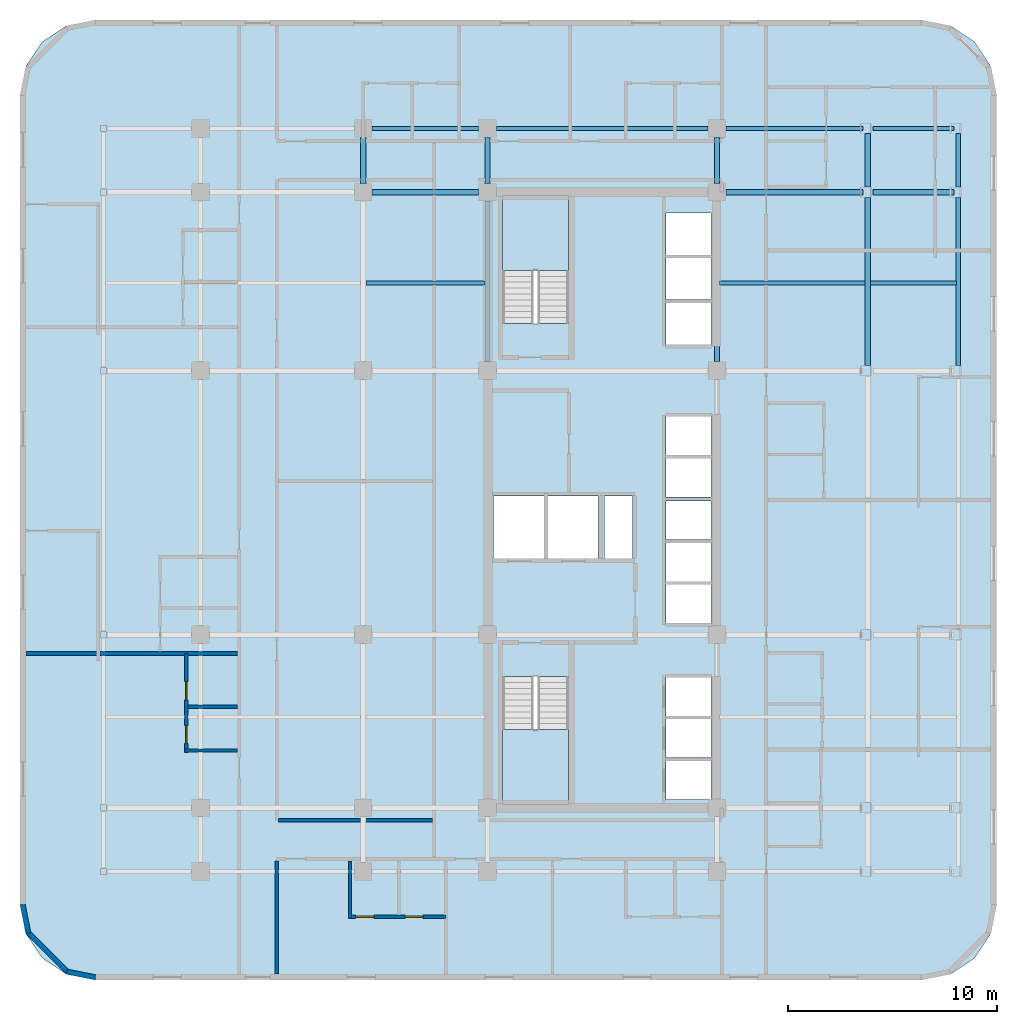
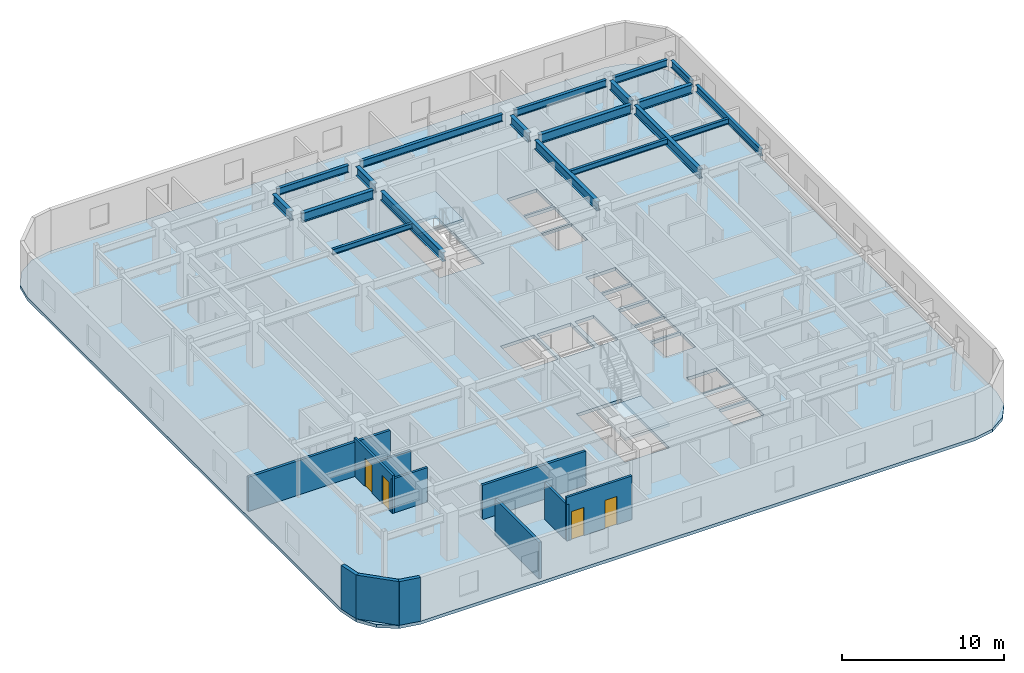
# One storey, part 5 of 11: 19 beams, 11 walls, 4 doors, 3 slabs, 4 openings, 2 elements without a shape of their own.
"""IFC4 building model written with IfcOpenShell, lengths in metres."""

from ifc_helpers import new_model, si_unit, direction, frame, frame_2d, origin, origin_2d, place, context, subcontext, project, spatial, polyline, rectangle, i_section, outline, extrude, material, layer, layer_set, material_profile, profile_set, type_object, element, fill, aggregate, save


model = new_model("IFC4")

# Units and contexts
model_context = context("Model", 3, precision=1e-05, world=origin(), true_north=direction((0.0, 1.0)))
body_context = subcontext(model_context, "Body", "Model", "MODEL_VIEW")
ifc_project = project(units=[si_unit("LENGTHUNIT", "METRE"), si_unit("AREAUNIT", "SQUARE_METRE"), si_unit("VOLUMEUNIT", "CUBIC_METRE"), si_unit("PLANEANGLEUNIT", "RADIAN"), si_unit("MASSUNIT", "GRAM", prefix="KILO")], contexts=[model_context])

# Site, building, storey
site_placement = place(None, origin())
site = spatial("IfcSite", under=ifc_project, at=site_placement, CompositionType="ELEMENT")
building_placement = place(site_placement, origin())
building = spatial("IfcBuilding", under=site, at=building_placement, Name="Ochreholt Gables", CompositionType="ELEMENT")
storey_placement = place(building_placement, frame((0.0, 0.0, 67.800048828125)))
storey = spatial("IfcBuildingStorey", under=building, at=storey_placement, Name="L17", CompositionType="ELEMENT", Elevation=67.800048828125)

# Beams
ifc_material_1 = material(Name="Steel CSA G40.21 350W", Category="steel")
ifc_material_profile_1 = material_profile(ifc_material_1, i_section(OverallWidth=0.256103515625, OverallDepth=0.693115234375, WebThickness=0.014404296875, FlangeThickness=0.023681640625, at=origin_2d()), Name="W690X170")
ifc_profile_set_1 = profile_set([ifc_material_profile_1], Name="Steel CSA G40.21 350W")
beam_type_1 = type_object("IfcBeamType", Name="BM-G-W690", PredefinedType="BEAM", material=ifc_profile_set_1)
beam_1_placement = place(storey_placement, frame((18.674560546875, 38.75, 2.953369140625), z_axis=(1.0, 0.0, 0.0), x_axis=(0.0, 1.0, 0.0)))
element("IfcBeam", 1, at=beam_1_placement, inside=storey, type_object=beam_type_1, Name="L17 Beam TBG-L17-W3C1-Y5", PredefinedType="BEAM", context=body_context, shape_type="SweptSolid", body=[
    extrude(i_section(OverallWidth=0.256103515625, OverallDepth=0.693115234375, WebThickness=0.014404296875, FlangeThickness=0.023681640625, at=origin_2d()), origin(), (0.0, 0.0, 1.0), 5.100830078125),
])
beam_2_placement = place(storey_placement, frame((35.62451171875, 38.75, 2.953369140625), z_axis=(1.0, 0.0, 0.0), x_axis=(0.0, 1.0, 0.0)))
element("IfcBeam", 2, at=beam_2_placement, inside=storey, type_object=beam_type_1, Name="L17 Beam TBG-L17-C2EM-Y5", PredefinedType="BEAM", context=body_context, shape_type="SweptSolid", body=[
    extrude(i_section(OverallWidth=0.256103515625, OverallDepth=0.693115234375, WebThickness=0.014404296875, FlangeThickness=0.023681640625, at=origin_2d()), origin(), (0.0, 0.0, 1.0), 6.560791015625),
])
beam_3_placement = place(storey_placement, frame((42.6845703125, 38.75, 2.953369140625), z_axis=(1.0, 0.0, 0.0), x_axis=(0.0, 1.0, 0.0)))
element("IfcBeam", 3, at=beam_3_placement, inside=storey, type_object=beam_type_1, Name="L17 Beam TBG-L17-EMEE-Y5", PredefinedType="BEAM", context=body_context, shape_type="SweptSolid", body=[
    extrude(i_section(OverallWidth=0.256103515625, OverallDepth=0.693115234375, WebThickness=0.014404296875, FlangeThickness=0.023681640625, at=origin_2d()), origin(), (0.0, 0.0, 1.0), 3.86376953125),
])
beam_4_placement = place(storey_placement, frame((18.25, 39.174560546875, 2.953369140625), z_axis=(0.0, 1.0, 0.0), x_axis=(-1.0, 0.0, 0.0)))
element("IfcBeam", 4, at=beam_4_placement, inside=storey, type_object=beam_type_1, Name="L17 Beam TBN-L17-W3-Y5Y6", PredefinedType="BEAM", context=body_context, shape_type="SweptSolid", body=[
    extrude(i_section(OverallWidth=0.256103515625, OverallDepth=0.693115234375, WebThickness=0.014404296875, FlangeThickness=0.023681640625, at=origin_2d()), origin(), (0.0, 0.0, 1.0), 2.200927734375),
])
beam_5_placement = place(storey_placement, frame((24.199951171875, 30.62451171875, 2.953369140625), z_axis=(0.0, 1.0, 0.0), x_axis=(-1.0, 0.0, 0.0)))
element("IfcBeam", 5, at=beam_5_placement, inside=storey, type_object=beam_type_1, Name="L17 Beam TBN-L17-C1-Y4Y5", PredefinedType="BEAM", context=body_context, shape_type="SweptSolid", body=[
    extrude(i_section(OverallWidth=0.256103515625, OverallDepth=0.693115234375, WebThickness=0.014404296875, FlangeThickness=0.023681640625, at=origin_2d()), origin(), (0.0, 0.0, 1.0), 7.700927734375),
])
beam_6_placement = place(storey_placement, frame((24.199951171875, 39.174560546875, 2.953369140625), z_axis=(0.0, 1.0, 0.0), x_axis=(-1.0, 0.0, 0.0)))
element("IfcBeam", 6, at=beam_6_placement, inside=storey, type_object=beam_type_1, Name="L17 Beam TBN-L17-C1-Y5Y6", PredefinedType="BEAM", context=body_context, shape_type="SweptSolid", body=[
    extrude(i_section(OverallWidth=0.256103515625, OverallDepth=0.693115234375, WebThickness=0.014404296875, FlangeThickness=0.023681640625, at=origin_2d()), origin(), (0.0, 0.0, 1.0), 2.200927734375),
])
beam_7_placement = place(storey_placement, frame((35.199951171875, 30.62451171875, 2.953369140625), z_axis=(0.0, 1.0, 0.0), x_axis=(-1.0, 0.0, 0.0)))
element("IfcBeam", 7, at=beam_7_placement, inside=storey, type_object=beam_type_1, Name="L17 Beam TBN-L17-C2-Y4Y5", PredefinedType="BEAM", context=body_context, shape_type="SweptSolid", body=[
    extrude(i_section(OverallWidth=0.256103515625, OverallDepth=0.693115234375, WebThickness=0.014404296875, FlangeThickness=0.023681640625, at=origin_2d()), origin(), (0.0, 0.0, 1.0), 7.700927734375),
])
beam_8_placement = place(storey_placement, frame((35.199951171875, 39.174560546875, 2.953369140625), z_axis=(0.0, 1.0, 0.0), x_axis=(-1.0, 0.0, 0.0)))
element("IfcBeam", 8, at=beam_8_placement, inside=storey, type_object=beam_type_1, Name="L17 Beam TBN-L17-C2-Y5Y6", PredefinedType="BEAM", context=body_context, shape_type="SweptSolid", body=[
    extrude(i_section(OverallWidth=0.256103515625, OverallDepth=0.693115234375, WebThickness=0.014404296875, FlangeThickness=0.023681640625, at=origin_2d()), origin(), (0.0, 0.0, 1.0), 2.200927734375),
])
beam_9_placement = place(storey_placement, frame((42.415771484375, 30.44970703125, 2.953369140625), z_axis=(0.0, 1.0, 0.0), x_axis=(-1.0, 0.0, 0.0)))
element("IfcBeam", 9, at=beam_9_placement, inside=storey, type_object=beam_type_1, Name="L17 Beam TBN-L17-EM-Y4Y5", PredefinedType="BEAM", context=body_context, shape_type="SweptSolid", body=[
    extrude(i_section(OverallWidth=0.256103515625, OverallDepth=0.693115234375, WebThickness=0.014404296875, FlangeThickness=0.023681640625, at=origin_2d()), origin(), (0.0, 0.0, 1.0), 8.05078125),
])
beam_10_placement = place(storey_placement, frame((42.415771484375, 38.99951171875, 2.953369140625), z_axis=(0.0, 1.0, 0.0), x_axis=(-1.0, 0.0, 0.0)))
element("IfcBeam", 10, at=beam_10_placement, inside=storey, type_object=beam_type_1, Name="L17 Beam TBN-L17-EM-Y5Y6", PredefinedType="BEAM", context=body_context, shape_type="SweptSolid", body=[
    extrude(i_section(OverallWidth=0.256103515625, OverallDepth=0.693115234375, WebThickness=0.014404296875, FlangeThickness=0.023681640625, at=origin_2d()), origin(), (0.0, 0.0, 1.0), 2.55078125),
])
ifc_material_profile_2 = material_profile(ifc_material_1, i_section(OverallWidth=0.178955078125, OverallDepth=0.409912109375, WebThickness=0.0087890625, FlangeThickness=0.014404296875, at=origin_2d()), Name="W410X67")
ifc_profile_set_2 = profile_set([ifc_material_profile_2], Name="Steel CSA G40.21 350W")
beam_type_2 = type_object("IfcBeamType", Name="BM-J-W410", PredefinedType="JOIST", material=ifc_profile_set_2)
beam_11_placement = place(storey_placement, frame((18.377685546875, 34.39990234375, 3.094970703125), z_axis=(1.0, 0.0, 0.0), x_axis=(0.0, 1.0, 0.0)))
element("IfcBeam", 11, at=beam_11_placement, inside=storey, type_object=beam_type_2, Name="L17 Beam TBJ-L17-J2-W3C1", PredefinedType="JOIST", context=body_context, shape_type="SweptSolid", body=[
    extrude(i_section(OverallWidth=0.178955078125, OverallDepth=0.409912109375, WebThickness=0.0087890625, FlangeThickness=0.014404296875, at=origin_2d()), origin(), (0.0, 0.0, 1.0), 5.69482421875),
])
beam_12_placement = place(storey_placement, frame((35.32763671875, 34.39990234375, 3.094970703125), z_axis=(1.0, 0.0, 0.0), x_axis=(0.0, 1.0, 0.0)))
element("IfcBeam", 12, at=beam_12_placement, inside=storey, type_object=beam_type_2, Name="L17 Beam TBJ-L17-J2-C2EM", PredefinedType="JOIST", context=body_context, shape_type="SweptSolid", body=[
    extrude(i_section(OverallWidth=0.178955078125, OverallDepth=0.409912109375, WebThickness=0.0087890625, FlangeThickness=0.014404296875, at=origin_2d()), origin(), (0.0, 0.0, 1.0), 6.96044921875),
])
beam_13_placement = place(storey_placement, frame((42.54345703125, 34.39990234375, 3.094970703125), z_axis=(1.0, 0.0, 0.0), x_axis=(0.0, 1.0, 0.0)))
element("IfcBeam", 13, at=beam_13_placement, inside=storey, type_object=beam_type_2, Name="L17 Beam TBJ-L17-J2-EMEE", PredefinedType="JOIST", context=body_context, shape_type="SweptSolid", body=[
    extrude(i_section(OverallWidth=0.178955078125, OverallDepth=0.409912109375, WebThickness=0.0087890625, FlangeThickness=0.014404296875, at=origin_2d()), origin(), (0.0, 0.0, 1.0), 4.11865234375),
])
ifc_material_profile_3 = material_profile(ifc_material_1, i_section(OverallWidth=0.208984375, OverallDepth=0.532958984375, WebThickness=0.01025390625, FlangeThickness=0.015625, at=origin_2d()), Name="W530X92")
ifc_profile_set_3 = profile_set([ifc_material_profile_3], Name="Steel CSA G40.21 350W")
beam_type_3 = type_object("IfcBeamType", Name="BM-SP-W530B", PredefinedType="SPANDREL", material=ifc_profile_set_3)
beam_14_placement = place(storey_placement, frame((18.674560546875, 41.800048828125, 3.033447265625), z_axis=(1.0, 0.0, 0.0), x_axis=(0.0, 1.0, 0.0)))
element("IfcBeam", 14, at=beam_14_placement, inside=storey, type_object=beam_type_3, Name="L17 Beam TBG-L17-W3C1-Y6", PredefinedType="SPANDREL", context=body_context, shape_type="SweptSolid", body=[
    extrude(i_section(OverallWidth=0.208984375, OverallDepth=0.532958984375, WebThickness=0.01025390625, FlangeThickness=0.015625, at=origin_2d()), origin(), (0.0, 0.0, 1.0), 5.100830078125),
])
beam_15_placement = place(storey_placement, frame((24.62451171875, 41.800048828125, 3.033447265625), z_axis=(1.0, 0.0, 0.0), x_axis=(0.0, 1.0, 0.0)))
element("IfcBeam", 15, at=beam_15_placement, inside=storey, type_object=beam_type_3, Name="L17 Beam TBG-L17-C1C2-Y6", PredefinedType="SPANDREL", context=body_context, shape_type="SweptSolid", body=[
    extrude(i_section(OverallWidth=0.208984375, OverallDepth=0.532958984375, WebThickness=0.01025390625, FlangeThickness=0.015625, at=origin_2d()), origin(), (0.0, 0.0, 1.0), 10.15087890625),
])
beam_16_placement = place(storey_placement, frame((35.62451171875, 41.800048828125, 3.033447265625), z_axis=(1.0, 0.0, 0.0), x_axis=(0.0, 1.0, 0.0)))
element("IfcBeam", 16, at=beam_16_placement, inside=storey, type_object=beam_type_3, Name="L17 Beam TBG-L17-C2EM-Y6", PredefinedType="SPANDREL", context=body_context, shape_type="SweptSolid", body=[
    extrude(i_section(OverallWidth=0.208984375, OverallDepth=0.532958984375, WebThickness=0.01025390625, FlangeThickness=0.015625, at=origin_2d()), origin(), (0.0, 0.0, 1.0), 6.560791015625),
])
beam_17_placement = place(storey_placement, frame((42.6845703125, 41.800048828125, 3.033447265625), z_axis=(1.0, 0.0, 0.0), x_axis=(0.0, 1.0, 0.0)))
element("IfcBeam", 17, at=beam_17_placement, inside=storey, type_object=beam_type_3, Name="L17 Beam TBG-L17-EMEE-Y6", PredefinedType="SPANDREL", context=body_context, shape_type="SweptSolid", body=[
    extrude(i_section(OverallWidth=0.208984375, OverallDepth=0.532958984375, WebThickness=0.01025390625, FlangeThickness=0.015625, at=origin_2d()), origin(), (0.0, 0.0, 1.0), 3.86376953125),
])
beam_18_placement = place(storey_placement, frame((46.76611328125, 30.44970703125, 3.033447265625), z_axis=(0.0, 1.0, 0.0), x_axis=(-1.0, 0.0, 0.0)))
element("IfcBeam", 18, at=beam_18_placement, inside=storey, type_object=beam_type_3, Name="L17 Beam TBN-L17-EE-Y4Y5", PredefinedType="SPANDREL", context=body_context, shape_type="SweptSolid", body=[
    extrude(i_section(OverallWidth=0.208984375, OverallDepth=0.532958984375, WebThickness=0.01025390625, FlangeThickness=0.015625, at=origin_2d()), origin(), (0.0, 0.0, 1.0), 8.05078125),
])
beam_19_placement = place(storey_placement, frame((46.76611328125, 38.99951171875, 3.033447265625), z_axis=(0.0, 1.0, 0.0), x_axis=(-1.0, 0.0, 0.0)))
element("IfcBeam", 19, at=beam_19_placement, inside=storey, type_object=beam_type_3, Name="L17 Beam TBN-L17-EE-Y5Y6", PredefinedType="SPANDREL", context=body_context, shape_type="SweptSolid", body=[
    extrude(i_section(OverallWidth=0.208984375, OverallDepth=0.532958984375, WebThickness=0.01025390625, FlangeThickness=0.015625, at=origin_2d()), origin(), (0.0, 0.0, 1.0), 2.55078125),
])

# Stair, slab
ifc_material_2 = material(Name="Concrete 40 MPa", Category="concrete")
stair_type_1 = type_object("IfcStairType", Name="STAIR-CORE-ST-1", PredefinedType="HALF_TURN_STAIR", material=ifc_material_2)
stair_1_placement = place(storey_placement, origin())
stair_1 = element("IfcStair", 20, at=stair_1_placement, inside=storey, type_object=stair_type_1, Name="L17 Core Exit Stair 1", PredefinedType="HALF_TURN_STAIR")
ifc_layer_1 = layer(ifc_material_2, 0.199951171875, Name="Concrete 40 MPa")
ifc_layer_set_1 = layer_set([ifc_layer_1], Name="Concrete 40 MPa")
slab_type_1 = type_object("IfcSlabType", Name="LANDING-RC200", PredefinedType="LANDING", material=ifc_layer_set_1)
slab_1_placement = place(storey_placement, frame((0.0, 0.0, 1.599853515625)))
slab_1 = element("IfcSlab", 21, at=slab_1_placement, type_object=slab_type_1, Name="ST-1 landing 1", PredefinedType="LANDING", context=body_context, shape_type="SweptSolid", body=[
    extrude(outline(polyline([(24.919921875, 13.001953125), (24.919921875, 9.52001953125), (28.080078125, 9.52001953125), (28.080078125, 13.001953125), (24.919921875, 13.001953125)])), origin(), (0.0, 0.0, 1.0), 0.2001953125),
])
aggregate(stair_1, [slab_1])

stair_type_2 = type_object("IfcStairType", Name="STAIR-CORE-ST-2", PredefinedType="HALF_TURN_STAIR", material=ifc_material_2)
stair_2_placement = place(storey_placement, origin())
stair_2 = element("IfcStair", 22, at=stair_2_placement, inside=storey, type_object=stair_type_2, Name="L17 Core Exit Stair 2", PredefinedType="HALF_TURN_STAIR")
slab_2_placement = place(storey_placement, frame((0.0, 0.0, 1.599853515625)))
slab_2 = element("IfcSlab", 23, at=slab_2_placement, type_object=slab_type_1, Name="ST-2 landing 1", PredefinedType="LANDING", context=body_context, shape_type="SweptSolid", body=[
    extrude(outline(polyline([(28.080078125, 34.998046875), (28.080078125, 38.47998046875), (24.919921875, 38.47998046875), (24.919921875, 34.998046875), (28.080078125, 34.998046875)])), origin(), (0.0, 0.0, 1.0), 0.2001953125),
])
aggregate(stair_2, [slab_2])

# Slab
ifc_layer_2 = layer(ifc_material_2, 0.239990234375, Name="Concrete 40 MPa")
ifc_layer_set_2 = layer_set([ifc_layer_2], Name="Concrete 40 MPa")
slab_type_2 = type_object("IfcSlabType", Name="SLAB-TWR-240", PredefinedType="FLOOR", material=ifc_layer_set_2)
slab_3_placement = place(storey_placement, frame((0.0, 0.0, -0.239990234375)))
element("IfcSlab", 24, at=slab_3_placement, inside=storey, type_object=slab_type_2, Name="L17 Structural Floor Slab", PredefinedType="FLOOR", context=body_context, shape_type="SweptSolid", body=[
    extrude(outline(polyline([(1.800048828125, 4.60009765625), (2.073974609375, 3.222412109375), (2.8544921875, 2.054443359375), (4.022216796875, 1.27392578125), (5.39990234375, 1.0), (45.0, 1.0), (46.377685546875, 1.27392578125), (47.545654296875, 2.054443359375), (48.325927734375, 3.222412109375), (48.60009765625, 4.60009765625), (48.60009765625, 43.39990234375), (48.325927734375, 44.777587890625), (47.545654296875, 45.945556640625), (46.377685546875, 46.72607421875), (45.0, 47.0), (5.39990234375, 47.0), (4.022216796875, 46.72607421875), (2.8544921875, 45.945556640625), (2.073974609375, 44.777587890625), (1.800048828125, 43.39990234375), (1.800048828125, 4.60009765625)]), holes=[polyline([(24.919921875, 15.539306640625), (24.919921875, 9.52001953125), (28.080078125, 9.52001953125), (28.080078125, 15.539306640625), (24.919921875, 15.539306640625)]), polyline([(28.080078125, 32.460693359375), (28.080078125, 38.47998046875), (24.919921875, 38.47998046875), (24.919921875, 32.460693359375), (28.080078125, 32.460693359375)]), polyline([(24.5, 21.199951171875), (26.89990234375, 21.199951171875), (26.89990234375, 24.199951171875), (24.5, 24.199951171875), (24.5, 21.199951171875)]), polyline([(27.10009765625, 21.199951171875), (29.5, 21.199951171875), (29.5, 24.199951171875), (27.10009765625, 24.199951171875), (27.10009765625, 21.199951171875)]), polyline([(32.75, 9.64990234375), (34.89990234375, 9.64990234375), (34.89990234375, 11.5), (32.75, 11.5), (32.75, 9.64990234375)]), polyline([(32.75, 11.64990234375), (34.89990234375, 11.64990234375), (34.89990234375, 13.5), (32.75, 13.5), (32.75, 11.64990234375)]), polyline([(32.75, 13.64990234375), (34.89990234375, 13.64990234375), (34.89990234375, 15.5), (32.75, 15.5), (32.75, 13.64990234375)]), polyline([(32.75, 18.10009765625), (34.89990234375, 18.10009765625), (34.89990234375, 19.949951171875), (32.75, 19.949951171875), (32.75, 18.10009765625)]), polyline([(32.75, 20.10009765625), (34.89990234375, 20.10009765625), (34.89990234375, 21.949951171875), (32.75, 21.949951171875), (32.75, 20.10009765625)]), polyline([(32.75, 22.10009765625), (34.89990234375, 22.10009765625), (34.89990234375, 23.949951171875), (32.75, 23.949951171875), (32.75, 22.10009765625)]), polyline([(32.75, 24.14990234375), (34.89990234375, 24.14990234375), (34.89990234375, 26.0), (32.75, 26.0), (32.75, 24.14990234375)]), polyline([(32.75, 26.14990234375), (34.89990234375, 26.14990234375), (34.89990234375, 28.0), (32.75, 28.0), (32.75, 26.14990234375)]), polyline([(32.75, 31.449951171875), (34.89990234375, 31.449951171875), (34.89990234375, 33.449951171875), (32.75, 33.449951171875), (32.75, 31.449951171875)]), polyline([(32.75, 33.60009765625), (34.89990234375, 33.60009765625), (34.89990234375, 35.60009765625), (32.75, 35.60009765625), (32.75, 33.60009765625)]), polyline([(32.75, 35.75), (34.89990234375, 35.75), (34.89990234375, 37.75), (32.75, 37.75), (32.75, 35.75)]), polyline([(29.800048828125, 21.199951171875), (31.14990234375, 21.199951171875), (31.14990234375, 24.199951171875), (29.800048828125, 24.199951171875), (29.800048828125, 21.199951171875)])]), origin(), (0.0, 0.0, 1.0), 0.239990234375),
])

# Walls
ifc_material_3 = material(Name="Precast concrete 40 MPa", Category="concrete")
ifc_layer_3 = layer(ifc_material_3, 0.25, Name="Precast concrete 40 MPa")
ifc_layer_set_3 = layer_set([ifc_layer_3], Name="Precast concrete 40 MPa")
wall_type_1 = type_object("IfcWallType", Name="WALL-EXT-CNR", PredefinedType="SOLIDWALL", material=ifc_layer_set_3)
wall_1_placement = place(storey_placement, frame((1.92431640625, 4.616455078125, 0.0), z_axis=(0.0, 0.0, 1.0), x_axis=(0.19496651342, -0.980809899341, 0.0)))
element("IfcWall", 25, at=wall_1_placement, inside=storey, type_object=wall_type_1, Name="L17 Rounded Corner Wall SW-1", PredefinedType="SOLIDWALL", context=body_context, shape_type="SweptSolid", body=[
    extrude(rectangle(XDim=1.388671875, YDim=0.25, at=frame_2d((0.6943359375, 0.0))), origin(), (0.0, 0.0, 1.0), 3.300048828125),
])
wall_2_placement = place(storey_placement, frame((2.16796875, 3.304931640625, 0.0), z_axis=(0.0, 0.0, 1.0), x_axis=(0.707106781187, -0.707106781187, 0.0)))
element("IfcWall", 26, at=wall_2_placement, inside=storey, type_object=wall_type_1, Name="L17 Rounded Corner Wall SW-2", PredefinedType="SOLIDWALL", context=body_context, shape_type="SweptSolid", body=[
    extrude(rectangle(XDim=2.7392578125, YDim=0.25, at=frame_2d((1.36962890625, 0.0))), origin(), (0.0, 0.0, 1.0), 3.300048828125),
])
wall_3_placement = place(storey_placement, frame((4.054443359375, 1.39501953125, 0.0), z_axis=(0.0, 0.0, 1.0), x_axis=(0.980809899341, -0.19496651342, 0.0)))
element("IfcWall", 27, at=wall_3_placement, inside=storey, type_object=wall_type_1, Name="L17 Rounded Corner Wall SW-3", PredefinedType="SOLIDWALL", context=body_context, shape_type="SweptSolid", body=[
    extrude(rectangle(XDim=1.388671875, YDim=0.25, at=frame_2d((0.6943359375, 0.0))), origin(), (0.0, 0.0, 1.0), 3.300048828125),
])
ifc_material_4 = material(Name="Fire-Rated Gypsum Acoustic Partition", Category="gypsum")
ifc_layer_4 = layer(ifc_material_4, 0.179931640625, Name="Fire-Rated Gypsum Acoustic Partition")
ifc_layer_set_4 = layer_set([ifc_layer_4], Name="Fire-Rated Gypsum Acoustic Partition")
wall_type_2 = type_object("IfcWallType", Name="WALL-INT-CR180", PredefinedType="STANDARD", material=ifc_layer_set_4)
wall_4_placement = place(storey_placement, frame((14.18994140625, 8.64990234375, 0.0), z_axis=(0.0, 0.0, 1.0), x_axis=(1.0, 0.0, 0.0)))
element("IfcWall", 28, at=wall_4_placement, inside=storey, type_object=wall_type_2, Name="L17 Interior Wall WI-C1S2W-L17", PredefinedType="STANDARD", context=body_context, shape_type="SweptSolid", body=[
    extrude(rectangle(XDim=7.3701171875, YDim=0.179931640625, at=frame_2d((3.68505859375, 0.0))), origin(), (0.0, 0.0, 1.0), 2.5888671875),
])
ifc_material_5 = material(Name="Double-Stud Acoustic Demising Wall", Category="gypsum")
ifc_layer_5 = layer(ifc_material_5, 0.179931640625, Name="Double-Stud Acoustic Demising Wall")
ifc_layer_set_5 = layer_set([ifc_layer_5], Name="Double-Stud Acoustic Demising Wall")
wall_type_3 = type_object("IfcWallType", Name="WALL-INT-DM180", PredefinedType="PARTITIONING", material=ifc_layer_set_5)
wall_5_placement = place(storey_placement, frame((14.10009765625, 1.2900390625, 0.0), z_axis=(0.0, 0.0, 1.0), x_axis=(0.0, 1.0, 0.0)))
element("IfcWall", 29, at=wall_5_placement, inside=storey, type_object=wall_type_3, Name="L17 Interior Wall WI-C1WSI-L17", PredefinedType="PARTITIONING", context=body_context, shape_type="SweptSolid", body=[
    extrude(rectangle(XDim=5.419921875, YDim=0.179931640625, at=frame_2d((2.7099609375, 0.0))), origin(), (0.0, 0.0, 1.0), 2.7490234375),
])
wall_6_placement = place(storey_placement, frame((2.090087890625, 16.639892578125, 0.0), z_axis=(0.0, 0.0, 1.0), x_axis=(1.0, 0.0, 0.0)))
element("IfcWall", 30, at=wall_6_placement, inside=storey, type_object=wall_type_3, Name="L17 Interior Wall WI-UDW2-L17", PredefinedType="PARTITIONING", context=body_context, shape_type="SweptSolid", body=[
    extrude(rectangle(XDim=10.119873046875, YDim=0.179931640625, at=frame_2d((5.06005859375, 0.0))), origin(), (0.0, 0.0, 1.0), 2.5888671875),
])
ifc_material_6 = material(Name="Moisture-Resistant Plumbing Chase Wall", Category="gypsum")
ifc_layer_6 = layer(ifc_material_6, 0.159912109375, Name="Moisture-Resistant Plumbing Chase Wall")
ifc_layer_set_6 = layer_set([ifc_layer_6], Name="Moisture-Resistant Plumbing Chase Wall")
wall_type_4 = type_object("IfcWallType", Name="WALL-INT-PL160", PredefinedType="PLUMBINGWALL", material=ifc_layer_set_6)
wall_7_placement = place(storey_placement, frame((9.679931640625, 12.0, 0.0), z_axis=(0.0, 0.0, 1.0), x_axis=(1.0, 0.0, 0.0)))
element("IfcWall", 31, at=wall_7_placement, inside=storey, type_object=wall_type_4, Name="L17 Interior Wall WU-L17W1-WYS", PredefinedType="PLUMBINGWALL", context=body_context, shape_type="SweptSolid", body=[
    extrude(rectangle(XDim=2.530029296875, YDim=0.159912109375, at=frame_2d((1.26513671875, 0.0))), origin(), (0.0, 0.0, 1.0), 2.5888671875),
])

# Wall, openings, doors
wall_8_placement = place(storey_placement, frame((9.760009765625, 11.909912109375, 0.0), z_axis=(0.0, 0.0, 1.0), x_axis=(0.0, 1.0, 0.0)))
wall_8 = element("IfcWall", 32, at=wall_8_placement, inside=storey, type_object=wall_type_4, Name="L17 Interior Wall WU-L17W1-WX", PredefinedType="PLUMBINGWALL", context=body_context, shape_type="SweptSolid", body=[
    extrude(rectangle(XDim=4.72998046875, YDim=0.159912109375, at=frame_2d((2.364990234375, 0.0))), origin(), (0.0, 0.0, 1.0), 2.8720703125),
])
opening_1_placement = place(wall_8_placement, frame((0.419921875, 0.0, 0.0)))
opening_1 = element("IfcOpeningElement", 33, at=opening_1_placement, cuts=wall_8, Name="Opening D-BT1", PredefinedType="OPENING", context=body_context, shape_type="SweptSolid", body=[
    extrude(rectangle(XDim=0.860107421875, YDim=2.1201171875, at=frame_2d((0.43017578125, 1.06005859375))), frame((0.0, 0.08984375, 0.0), z_axis=(0.0, -1.0, 0.0), x_axis=(1.0, 0.0, 0.0)), (0.0, 0.0, 1.0), 0.179931640625),
])
opening_2_placement = place(wall_8_placement, frame((2.512939453125, 0.0, 0.0)))
opening_2 = element("IfcOpeningElement", 34, at=opening_2_placement, cuts=wall_8, Name="Opening D-GN2", PredefinedType="OPENING", context=body_context, shape_type="SweptSolid", body=[
    extrude(rectangle(XDim=0.8798828125, YDim=2.1201171875, at=frame_2d((0.43994140625, 1.06005859375))), frame((0.0, 0.08984375, 0.0), z_axis=(0.0, -1.0, 0.0), x_axis=(1.0, 0.0, 0.0)), (0.0, 0.0, 1.0), 0.179931640625),
])
ifc_material_7 = material(Name="Engineered Oak Timber", Category="wood")
door_type_1 = type_object("IfcDoorType", Name="DR-INT-BTH860", OperationType="NOTDEFINED", PredefinedType="DOOR", material=ifc_material_7)
door_1_placement = place(opening_1_placement, origin())
door_1 = element("IfcDoor", 35, at=door_1_placement, inside=storey, type_object=door_type_1, Name="L17 Door D-U-L17W1-BTH", OperationType="SINGLE_SWING_LEFT", OverallHeight=2.1201171875, OverallWidth=0.860107421875, PredefinedType="DOOR", context=body_context, shape_type="SweptSolid", body=[
    extrude(rectangle(XDim=0.860107421875, YDim=2.1201171875, at=frame_2d((0.43017578125, 1.06005859375))), frame((0.0, 0.02490234375, 0.0), z_axis=(0.0, -1.0, 0.0), x_axis=(1.0, 0.0, 0.0)), (0.0, 0.0, 1.0), 0.050048828125),
])
fill(opening_1, door_1)
door_type_2 = type_object("IfcDoorType", Name="DR-INT-GEN880", OperationType="NOTDEFINED", PredefinedType="DOOR", material=ifc_material_7)
door_2_placement = place(opening_2_placement, origin())
door_2 = element("IfcDoor", 36, at=door_2_placement, inside=storey, type_object=door_type_2, Name="L17 Door D-U-L17W1-KIT", OperationType="SINGLE_SWING_RIGHT", OverallHeight=2.1201171875, OverallWidth=0.8798828125, PredefinedType="DOOR", context=body_context, shape_type="SweptSolid", body=[
    extrude(rectangle(XDim=0.8798828125, YDim=2.1201171875, at=frame_2d((0.43994140625, 1.06005859375))), frame((0.0, 0.02490234375, 0.0), z_axis=(0.0, -1.0, 0.0), x_axis=(1.0, 0.0, 0.0)), (0.0, 0.0, 1.0), 0.050048828125),
])
fill(opening_2, door_2)

# Wall
wall_9_placement = place(storey_placement, frame((9.840087890625, 14.093017578125, 0.0), z_axis=(0.0, 0.0, 1.0), x_axis=(1.0, 0.0, 0.0)))
element("IfcWall", 37, at=wall_9_placement, inside=storey, type_object=wall_type_4, Name="L17 Interior Wall WU-L17W1-WM", PredefinedType="PLUMBINGWALL", context=body_context, shape_type="SweptSolid", body=[
    extrude(rectangle(XDim=2.369873046875, YDim=0.159912109375, at=frame_2d((1.18505859375, 0.0))), origin(), (0.0, 0.0, 1.0), 2.5888671875),
])

# Wall, openings, doors
wall_10_placement = place(storey_placement, frame((17.531494140625, 4.030029296875, 0.0), z_axis=(0.0, 0.0, 1.0), x_axis=(1.0, 0.0, 0.0)))
wall_10 = element("IfcWall", 38, at=wall_10_placement, inside=storey, type_object=wall_type_4, Name="L17 Interior Wall WU-L17S1-WY", PredefinedType="PLUMBINGWALL", context=body_context, shape_type="SweptSolid", body=[
    extrude(rectangle(XDim=4.670166015625, YDim=0.159912109375, at=frame_2d((2.3349609375, 0.0))), origin(), (0.0, 0.0, 1.0), 3.300048828125),
])
opening_3_placement = place(wall_10_placement, frame((0.35009765625, 0.0, 0.0)))
opening_3 = element("IfcOpeningElement", 39, at=opening_3_placement, cuts=wall_10, Name="Opening D-GN2", PredefinedType="OPENING", context=body_context, shape_type="SweptSolid", body=[
    extrude(rectangle(XDim=0.8798828125, YDim=2.1201171875, at=frame_2d((0.43994140625, 1.06005859375))), frame((0.0, 0.08984375, 0.0), z_axis=(0.0, -1.0, 0.0), x_axis=(1.0, 0.0, 0.0)), (0.0, 0.0, 1.0), 0.179931640625),
])
opening_4_placement = place(wall_10_placement, frame((2.719970703125, 0.0, 0.0)))
opening_4 = element("IfcOpeningElement", 40, at=opening_4_placement, cuts=wall_10, Name="Opening D-BT1", PredefinedType="OPENING", context=body_context, shape_type="SweptSolid", body=[
    extrude(rectangle(XDim=0.860107421875, YDim=2.1201171875, at=frame_2d((0.43017578125, 1.06005859375))), frame((0.0, 0.08984375, 0.0), z_axis=(0.0, -1.0, 0.0), x_axis=(1.0, 0.0, 0.0)), (0.0, 0.0, 1.0), 0.179931640625),
])
door_3_placement = place(opening_4_placement, origin())
door_3 = element("IfcDoor", 41, at=door_3_placement, inside=storey, type_object=door_type_1, Name="L17 Door D-U-L17S1-BTH", OperationType="SINGLE_SWING_RIGHT", OverallHeight=2.1201171875, OverallWidth=0.860107421875, PredefinedType="DOOR", context=body_context, shape_type="SweptSolid", body=[
    extrude(rectangle(XDim=0.860107421875, YDim=2.1201171875, at=frame_2d((0.43017578125, 1.06005859375))), frame((0.0, 0.02490234375, 0.0), z_axis=(0.0, -1.0, 0.0), x_axis=(1.0, 0.0, 0.0)), (0.0, 0.0, 1.0), 0.050048828125),
])
fill(opening_4, door_3)
door_4_placement = place(opening_3_placement, origin())
door_4 = element("IfcDoor", 42, at=door_4_placement, inside=storey, type_object=door_type_2, Name="L17 Door D-U-L17S1-KIT", OperationType="SINGLE_SWING_LEFT", OverallHeight=2.1201171875, OverallWidth=0.8798828125, PredefinedType="DOOR", context=body_context, shape_type="SweptSolid", body=[
    extrude(rectangle(XDim=0.8798828125, YDim=2.1201171875, at=frame_2d((0.43994140625, 1.06005859375))), frame((0.0, 0.02490234375, 0.0), z_axis=(0.0, -1.0, 0.0), x_axis=(1.0, 0.0, 0.0)), (0.0, 0.0, 1.0), 0.050048828125),
])
fill(opening_3, door_4)

# Wall
wall_11_placement = place(storey_placement, frame((17.611572265625, 3.949951171875, 0.0), z_axis=(0.0, 0.0, 1.0), x_axis=(0.0, 1.0, 0.0)))
element("IfcWall", 43, at=wall_11_placement, inside=storey, type_object=wall_type_4, Name="L17 Interior Wall WU-L17S1-FY", PredefinedType="PLUMBINGWALL", context=body_context, shape_type="SweptSolid", body=[
    extrude(rectangle(XDim=2.760009765625, YDim=0.159912109375, at=frame_2d((1.3798828125, 0.0))), origin(), (0.0, 0.0, 1.0), 2.7490234375),
])

save(model, "model.ifc")
